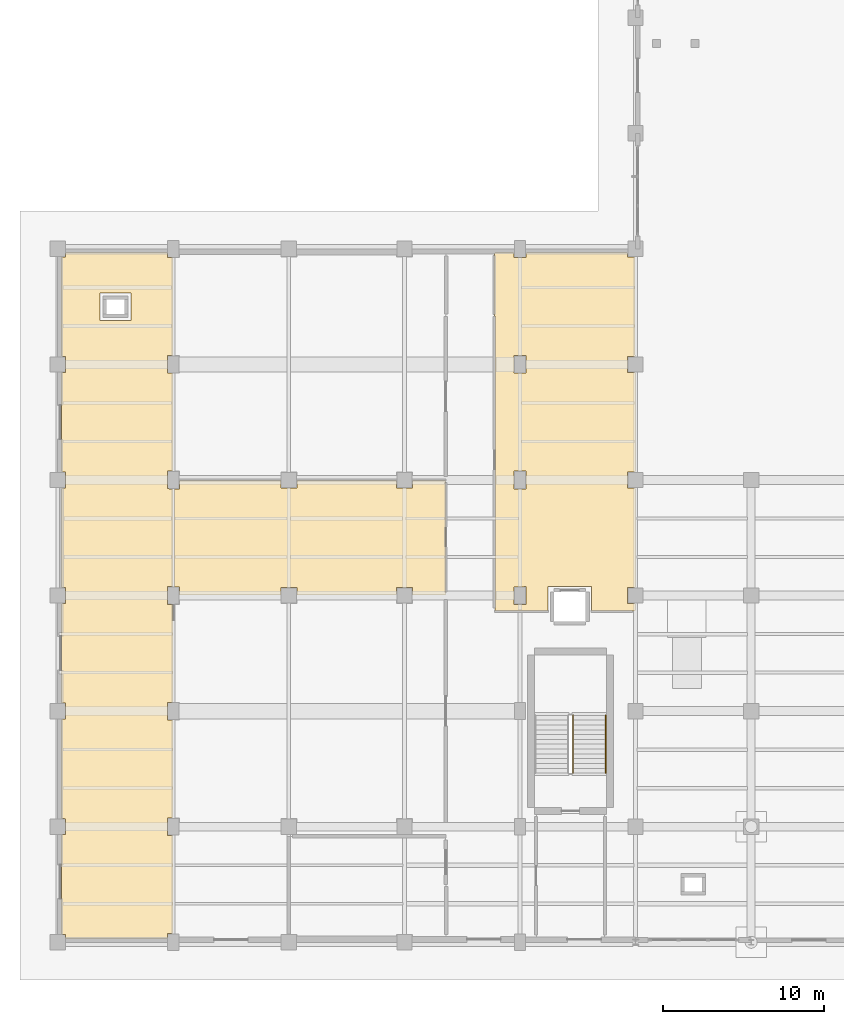
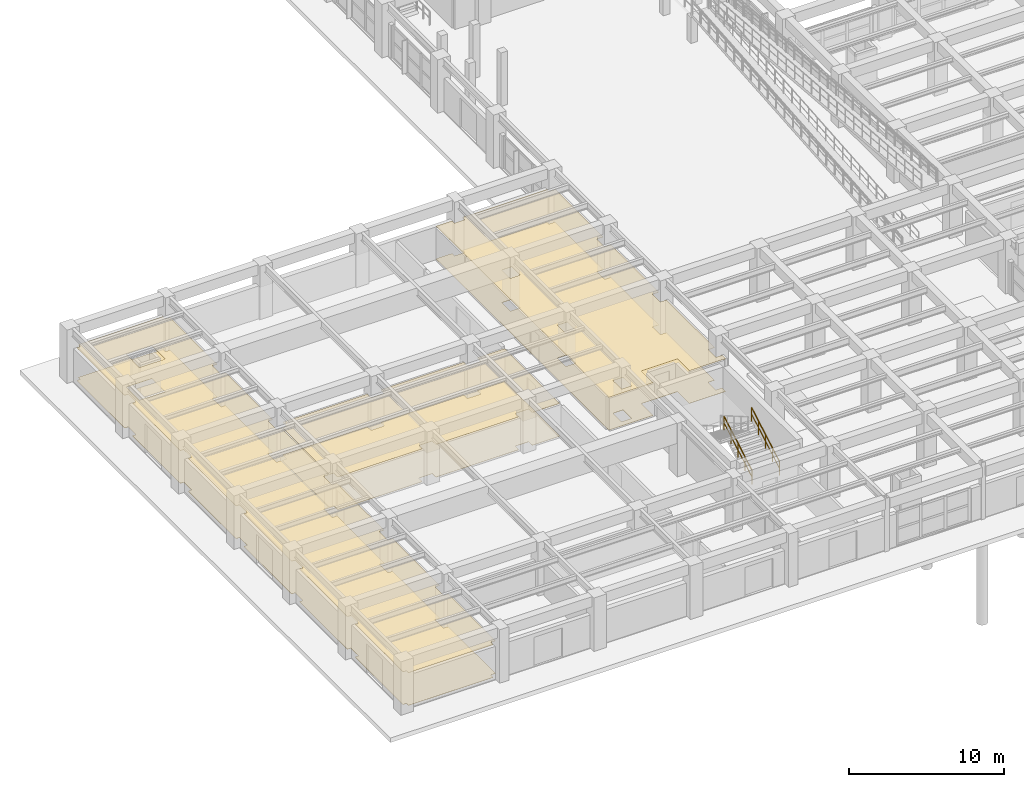
# One storey, part 51 of 64: 6 coverings, 2 railings.
"""IFC4 building model written with IfcOpenShell, lengths in metres."""

from ifc_helpers import new_model, si_unit, direction, frame, origin, origin_2d, place, context, subcontext, project, spatial, polyline, circle, outline, extrude, material, layer, layer_set, type_object, element, save


model = new_model("IFC4")

# Units and contexts
model_context = context("Model", 3, precision=1e-05, world=origin(), true_north=direction((0.0, 1.0)))
body_context = subcontext(model_context, "Body", "Model", "MODEL_VIEW")
ifc_project = project(units=[si_unit("LENGTHUNIT", "METRE"), si_unit("AREAUNIT", "SQUARE_METRE"), si_unit("VOLUMEUNIT", "CUBIC_METRE"), si_unit("PLANEANGLEUNIT", "RADIAN"), si_unit("MASSUNIT", "GRAM", prefix="KILO")], contexts=[model_context])

# Site, building, storey
site_placement = place(None, origin())
site = spatial("IfcSite", under=ifc_project, at=site_placement, CompositionType="ELEMENT")
building_placement = place(site_placement, origin())
building = spatial("IfcBuilding", under=site, at=building_placement, Name="Solenvale Faculty of Natural Sciences", CompositionType="ELEMENT")
storey_placement = place(building_placement, origin())
storey = spatial("IfcBuildingStorey", under=building, at=storey_placement, Name="L00", CompositionType="ELEMENT", Elevation=0.0)

# Coverings
ifc_material_1 = material(Name="Acoustic mineral-timber ceiling", Category="wood")
ifc_layer_1 = layer(ifc_material_1, 0.02490234375)
ifc_layer_set_1 = layer_set([ifc_layer_1], Name="Acoustic mineral-timber ceiling")
covering_type_1 = type_object("IfcCoveringType", Name="COV-CEIL-AC25", PredefinedType="CEILING", material=ifc_layer_set_1)
covering_1_placement = place(storey_placement, frame((0.0, 0.0, 2.574951171875)))
element("IfcCovering", 1, at=covering_1_placement, inside=storey, type_object=covering_type_1, Name="L00 Audiovisual Equipment Storage Room Acoustic Ceiling", PredefinedType="CEILING", context=body_context, shape_type="SweptSolid", body=[
    extrude(outline(polyline([(6.794921875, 42.9599609375), (6.824951171875, 42.93310546875), (6.8291015625, 42.652099609375), (7.153076171875, 42.64990234375), (7.179931640625, 42.6201171875), (7.179931640625, 36.576904296875), (7.153076171875, 36.550048828125), (6.8359375, 36.550048828125), (6.824951171875, 36.5390625), (6.824951171875, 35.45703125), (7.153076171875, 35.449951171875), (7.179931640625, 35.419921875), (7.179931640625, 29.376953125), (7.153076171875, 29.35009765625), (6.8359375, 29.35009765625), (6.824951171875, 29.339111328125), (6.824951171875, 28.257080078125), (7.153076171875, 28.25), (7.179931640625, 28.219970703125), (7.179931640625, 22.177001953125), (7.153076171875, 22.14990234375), (6.8359375, 22.14990234375), (6.824951171875, 22.138916015625), (6.824951171875, 21.056884765625), (7.153076171875, 21.050048828125), (7.179931640625, 21.02001953125), (7.179931640625, 14.97705078125), (7.153076171875, 14.949951171875), (6.8359375, 14.949951171875), (6.824951171875, 14.93896484375), (6.824951171875, 13.85693359375), (7.153076171875, 13.85009765625), (7.179931640625, 13.820068359375), (7.179931640625, 7.777099609375), (7.153076171875, 7.75), (6.8359375, 7.75), (6.824951171875, 7.739013671875), (6.824951171875, 6.656982421875), (7.153076171875, 6.64990234375), (7.179931640625, 6.623046875), (7.179931640625, 0.576904296875), (7.153076171875, 0.550048828125), (6.8291015625, 0.548095703125), (6.824951171875, 0.26708984375), (6.798095703125, 0.239990234375), (0.527099609375, 0.239990234375), (0.5, 0.26708984375), (0.4970703125, 0.4970703125), (0.26708984375, 0.5), (0.239990234375, 0.530029296875), (0.239990234375, 6.669921875), (0.263916015625, 6.698974609375), (0.489013671875, 6.699951171875), (0.5, 6.7109375), (0.5, 7.693115234375), (0.26708984375, 7.699951171875), (0.239990234375, 7.72998046875), (0.239990234375, 13.8701171875), (0.263916015625, 13.89892578125), (0.489013671875, 13.89990234375), (0.5, 13.910888671875), (0.5, 14.89306640625), (0.26708984375, 14.89990234375), (0.239990234375, 14.929931640625), (0.239990234375, 21.070068359375), (0.263916015625, 21.09912109375), (0.489013671875, 21.10009765625), (0.5, 21.111083984375), (0.5, 22.093017578125), (0.26708984375, 22.10009765625), (0.239990234375, 22.1298828125), (0.239990234375, 28.27001953125), (0.263916015625, 28.299072265625), (0.489013671875, 28.300048828125), (0.5, 28.31103515625), (0.5, 29.29296875), (0.26708984375, 29.300048828125), (0.239990234375, 29.330078125), (0.239990234375, 35.469970703125), (0.263916015625, 35.4990234375), (0.489013671875, 35.5), (0.5, 35.510986328125), (0.5, 36.492919921875), (0.26708984375, 36.5), (0.239990234375, 36.530029296875), (0.239990234375, 42.673095703125), (0.26708984375, 42.699951171875), (0.4970703125, 42.702880859375), (0.5, 42.93310546875), (0.530029296875, 42.9599609375), (6.794921875, 42.9599609375)]), holes=[polyline([(4.531982421875, 38.739990234375), (4.552001953125, 38.75), (4.56005859375, 38.77001953125), (4.56005859375, 40.429931640625), (4.550048828125, 40.451904296875), (2.669921875, 40.4599609375), (2.64794921875, 40.449951171875), (2.639892578125, 38.77001953125), (2.64990234375, 38.748046875), (4.531982421875, 38.739990234375)])]), origin(), (0.0, 0.0, 1.0), 0.025146484375),
])
covering_2_placement = place(storey_placement, frame((0.0, 0.0, 2.574951171875)))
element("IfcCovering", 2, at=covering_2_placement, inside=storey, type_object=covering_type_1, Name="L00 Academic Seminar Room Acoustic Ceiling", PredefinedType="CEILING", context=body_context, shape_type="SweptSolid", body=[
    extrude(outline(polyline([(7.239990234375, 28.219970703125), (7.26708984375, 28.25), (7.572998046875, 28.25390625), (7.574951171875, 28.7529296875), (7.60498046875, 28.780029296875), (13.873046875, 28.780029296875), (13.89990234375, 28.7529296875), (13.89990234375, 28.31103515625), (13.910888671875, 28.300048828125), (14.89404296875, 28.301025390625), (14.89990234375, 28.7529296875), (14.929931640625, 28.780029296875), (21.072998046875, 28.780029296875), (21.10009765625, 28.7529296875), (21.10009765625, 28.31103515625), (21.111083984375, 28.300048828125), (22.094970703125, 28.301025390625), (22.10009765625, 28.7529296875), (22.1240234375, 28.779052734375), (24.14111328125, 28.778076171875), (24.159912109375, 28.75), (24.157958984375, 21.658935546875), (24.1298828125, 21.639892578125), (22.126953125, 21.639892578125), (22.10009765625, 21.6669921875), (22.093994140625, 22.09912109375), (21.111083984375, 22.10009765625), (21.10009765625, 22.089111328125), (21.10009765625, 21.6669921875), (21.072998046875, 21.639892578125), (14.929931640625, 21.639892578125), (14.89990234375, 21.6669921875), (14.89404296875, 22.09912109375), (13.910888671875, 22.10009765625), (13.89990234375, 22.089111328125), (13.89990234375, 21.6669921875), (13.873046875, 21.639892578125), (7.593994140625, 21.64208984375), (7.574951171875, 21.669921875), (7.572998046875, 22.14599609375), (7.26708984375, 22.14990234375), (7.239990234375, 22.177001953125), (7.239990234375, 28.219970703125)])), origin(), (0.0, 0.0, 1.0), 0.025146484375),
])
covering_3_placement = place(storey_placement, frame((0.0, 0.0, 2.574951171875)))
element("IfcCovering", 3, at=covering_3_placement, inside=storey, type_object=covering_type_1, Name="L00 Academic Seminar Room Acoustic Ceiling", PredefinedType="CEILING", context=body_context, shape_type="SweptSolid", body=[
    extrude(outline(polyline([(27.239990234375, 39.0), (27.219970703125, 39.049072265625), (27.219970703125, 42.929931640625), (27.239013671875, 42.9580078125), (28.404052734375, 42.958984375), (28.425048828125, 42.93310546875), (28.425048828125, 42.660888671875), (28.43603515625, 42.64990234375), (29.1689453125, 42.65087890625), (29.175048828125, 42.93310546875), (29.205078125, 42.9599609375), (35.469970703125, 42.9599609375), (35.5, 42.93310546875), (35.5048828125, 42.700927734375), (35.949951171875, 42.699951171875), (35.97607421875, 42.68408203125), (35.97998046875, 36.527099609375), (35.952880859375, 36.5), (35.510986328125, 36.5), (35.5, 36.489013671875), (35.5009765625, 35.506103515625), (35.952880859375, 35.5), (35.97998046875, 35.469970703125), (35.97998046875, 29.326904296875), (35.952880859375, 29.300048828125), (35.510986328125, 29.300048828125), (35.5, 29.2890625), (35.5009765625, 28.305908203125), (35.952880859375, 28.300048828125), (35.97998046875, 28.27294921875), (35.97998046875, 22.1298828125), (35.952880859375, 22.10009765625), (35.5009765625, 22.093994140625), (35.5, 21.111083984375), (35.510986328125, 21.10009765625), (35.949951171875, 21.10009765625), (35.970947265625, 21.091064453125), (35.97998046875, 21.070068359375), (35.97998046875, 20.669921875), (35.964111328125, 20.64404296875), (33.27099609375, 20.64404296875), (33.2548828125, 20.669921875), (33.2548828125, 22.15087890625), (33.2451171875, 22.172119140625), (33.22509765625, 22.179931640625), (30.56005859375, 22.176025390625), (30.544921875, 22.14990234375), (30.544921875, 20.669921875), (30.52392578125, 20.64111328125), (27.27001953125, 20.639892578125), (27.243896484375, 20.656005859375), (27.239990234375, 39.0)]), holes=[polyline([(29.175048828125, 22.138916015625), (29.1640625, 22.14990234375), (28.427001953125, 22.14599609375), (28.428955078125, 21.052001953125), (29.173095703125, 21.053955078125), (29.175048828125, 22.138916015625)]), polyline([(29.175048828125, 29.339111328125), (29.1640625, 29.35009765625), (28.427001953125, 29.345947265625), (28.428955078125, 28.251953125), (29.173095703125, 28.25390625), (29.175048828125, 29.339111328125)]), polyline([(29.175048828125, 36.5390625), (29.1640625, 36.550048828125), (28.427001953125, 36.5458984375), (28.428955078125, 35.451904296875), (29.173095703125, 35.4541015625), (29.175048828125, 36.5390625)])]), origin(), (0.0, 0.0, 1.0), 0.025146484375),
])
ifc_material_2 = material(Name="Polished slate terrazzo flooring", Category="masonry")
ifc_layer_2 = layer(ifc_material_2, 0.01806640625)
ifc_layer_set_2 = layer_set([ifc_layer_2], Name="Polished slate terrazzo flooring")
covering_type_2 = type_object("IfcCoveringType", Name="COV-FLR-TRZ18", PredefinedType="FLOORING", material=ifc_layer_set_2)
covering_4_placement = place(storey_placement, origin())
element("IfcCovering", 4, at=covering_4_placement, inside=storey, type_object=covering_type_2, Name="L00 Audiovisual Equipment Storage Room Floor Finish", PredefinedType="FLOORING", context=body_context, shape_type="SweptSolid", body=[
    extrude(outline(polyline([(6.794921875, 42.9599609375), (6.824951171875, 42.93310546875), (6.8291015625, 42.652099609375), (7.153076171875, 42.64990234375), (7.179931640625, 42.6201171875), (7.179931640625, 36.576904296875), (7.153076171875, 36.550048828125), (6.8359375, 36.550048828125), (6.824951171875, 36.5390625), (6.824951171875, 35.45703125), (7.153076171875, 35.449951171875), (7.179931640625, 35.419921875), (7.179931640625, 29.376953125), (7.153076171875, 29.35009765625), (6.8359375, 29.35009765625), (6.824951171875, 29.339111328125), (6.824951171875, 28.257080078125), (7.153076171875, 28.25), (7.179931640625, 28.219970703125), (7.179931640625, 22.177001953125), (7.153076171875, 22.14990234375), (6.8359375, 22.14990234375), (6.824951171875, 22.138916015625), (6.824951171875, 21.056884765625), (7.153076171875, 21.050048828125), (7.179931640625, 21.02001953125), (7.179931640625, 14.97705078125), (7.153076171875, 14.949951171875), (6.8359375, 14.949951171875), (6.824951171875, 14.93896484375), (6.824951171875, 13.85693359375), (7.153076171875, 13.85009765625), (7.179931640625, 13.820068359375), (7.179931640625, 7.777099609375), (7.153076171875, 7.75), (6.8359375, 7.75), (6.824951171875, 7.739013671875), (6.824951171875, 6.656982421875), (7.153076171875, 6.64990234375), (7.179931640625, 6.623046875), (7.179931640625, 0.576904296875), (7.153076171875, 0.550048828125), (6.8291015625, 0.548095703125), (6.824951171875, 0.26708984375), (6.798095703125, 0.239990234375), (0.527099609375, 0.239990234375), (0.5, 0.26708984375), (0.4970703125, 0.4970703125), (0.26708984375, 0.5), (0.239990234375, 0.530029296875), (0.239990234375, 6.669921875), (0.263916015625, 6.698974609375), (0.489013671875, 6.699951171875), (0.5, 6.7109375), (0.5, 7.693115234375), (0.26708984375, 7.699951171875), (0.239990234375, 7.72998046875), (0.239990234375, 13.8701171875), (0.263916015625, 13.89892578125), (0.489013671875, 13.89990234375), (0.5, 13.910888671875), (0.5, 14.89306640625), (0.26708984375, 14.89990234375), (0.239990234375, 14.929931640625), (0.239990234375, 21.070068359375), (0.263916015625, 21.09912109375), (0.489013671875, 21.10009765625), (0.5, 21.111083984375), (0.5, 22.093017578125), (0.26708984375, 22.10009765625), (0.239990234375, 22.1298828125), (0.239990234375, 28.27001953125), (0.263916015625, 28.299072265625), (0.489013671875, 28.300048828125), (0.5, 28.31103515625), (0.5, 29.29296875), (0.26708984375, 29.300048828125), (0.239990234375, 29.330078125), (0.239990234375, 35.469970703125), (0.263916015625, 35.4990234375), (0.489013671875, 35.5), (0.5, 35.510986328125), (0.5, 36.492919921875), (0.26708984375, 36.5), (0.239990234375, 36.530029296875), (0.239990234375, 42.673095703125), (0.26708984375, 42.699951171875), (0.4970703125, 42.702880859375), (0.5, 42.93310546875), (0.530029296875, 42.9599609375), (6.794921875, 42.9599609375)]), holes=[polyline([(4.531982421875, 38.739990234375), (4.552001953125, 38.75), (4.56005859375, 38.77001953125), (4.56005859375, 40.429931640625), (4.550048828125, 40.451904296875), (2.669921875, 40.4599609375), (2.64794921875, 40.449951171875), (2.639892578125, 38.77001953125), (2.64990234375, 38.748046875), (4.531982421875, 38.739990234375)])]), origin(), (0.0, 0.0, 1.0), 0.01806640625),
])
covering_5_placement = place(storey_placement, origin())
element("IfcCovering", 5, at=covering_5_placement, inside=storey, type_object=covering_type_2, Name="L00 Academic Seminar Room Floor Finish", PredefinedType="FLOORING", context=body_context, shape_type="SweptSolid", body=[
    extrude(outline(polyline([(7.239990234375, 28.219970703125), (7.26708984375, 28.25), (7.572998046875, 28.25390625), (7.574951171875, 28.7529296875), (7.60498046875, 28.780029296875), (13.873046875, 28.780029296875), (13.89990234375, 28.7529296875), (13.89990234375, 28.31103515625), (13.910888671875, 28.300048828125), (14.89404296875, 28.301025390625), (14.89990234375, 28.7529296875), (14.929931640625, 28.780029296875), (21.072998046875, 28.780029296875), (21.10009765625, 28.7529296875), (21.10009765625, 28.31103515625), (21.111083984375, 28.300048828125), (22.094970703125, 28.301025390625), (22.10009765625, 28.7529296875), (22.1240234375, 28.779052734375), (24.14111328125, 28.778076171875), (24.159912109375, 28.75), (24.157958984375, 21.658935546875), (24.1298828125, 21.639892578125), (22.126953125, 21.639892578125), (22.10009765625, 21.6669921875), (22.093994140625, 22.09912109375), (21.111083984375, 22.10009765625), (21.10009765625, 22.089111328125), (21.10009765625, 21.6669921875), (21.072998046875, 21.639892578125), (14.929931640625, 21.639892578125), (14.89990234375, 21.6669921875), (14.89404296875, 22.09912109375), (13.910888671875, 22.10009765625), (13.89990234375, 22.089111328125), (13.89990234375, 21.6669921875), (13.873046875, 21.639892578125), (7.593994140625, 21.64208984375), (7.574951171875, 21.669921875), (7.572998046875, 22.14599609375), (7.26708984375, 22.14990234375), (7.239990234375, 22.177001953125), (7.239990234375, 28.219970703125)])), origin(), (0.0, 0.0, 1.0), 0.01806640625),
])
covering_6_placement = place(storey_placement, origin())
element("IfcCovering", 6, at=covering_6_placement, inside=storey, type_object=covering_type_2, Name="L00 Academic Seminar Room Floor Finish", PredefinedType="FLOORING", context=body_context, shape_type="SweptSolid", body=[
    extrude(outline(polyline([(27.239990234375, 39.0), (27.219970703125, 39.049072265625), (27.219970703125, 42.929931640625), (27.239013671875, 42.9580078125), (28.404052734375, 42.958984375), (28.425048828125, 42.93310546875), (28.425048828125, 42.660888671875), (28.43603515625, 42.64990234375), (29.1689453125, 42.65087890625), (29.175048828125, 42.93310546875), (29.205078125, 42.9599609375), (35.469970703125, 42.9599609375), (35.5, 42.93310546875), (35.5048828125, 42.700927734375), (35.949951171875, 42.699951171875), (35.97607421875, 42.68408203125), (35.97998046875, 36.527099609375), (35.952880859375, 36.5), (35.510986328125, 36.5), (35.5, 36.489013671875), (35.5009765625, 35.506103515625), (35.952880859375, 35.5), (35.97998046875, 35.469970703125), (35.97998046875, 29.326904296875), (35.952880859375, 29.300048828125), (35.510986328125, 29.300048828125), (35.5, 29.2890625), (35.5009765625, 28.305908203125), (35.952880859375, 28.300048828125), (35.97998046875, 28.27294921875), (35.97998046875, 22.1298828125), (35.952880859375, 22.10009765625), (35.5009765625, 22.093994140625), (35.5, 21.111083984375), (35.510986328125, 21.10009765625), (35.949951171875, 21.10009765625), (35.970947265625, 21.091064453125), (35.97998046875, 21.070068359375), (35.97998046875, 20.669921875), (35.964111328125, 20.64404296875), (33.27099609375, 20.64404296875), (33.2548828125, 20.669921875), (33.2548828125, 22.15087890625), (33.2451171875, 22.172119140625), (33.22509765625, 22.179931640625), (30.56005859375, 22.176025390625), (30.544921875, 22.14990234375), (30.544921875, 20.669921875), (30.52392578125, 20.64111328125), (27.27001953125, 20.639892578125), (27.243896484375, 20.656005859375), (27.239990234375, 39.0)]), holes=[polyline([(29.175048828125, 22.138916015625), (29.1640625, 22.14990234375), (28.427001953125, 22.14599609375), (28.428955078125, 21.052001953125), (29.173095703125, 21.053955078125), (29.175048828125, 22.138916015625)]), polyline([(29.175048828125, 29.339111328125), (29.1640625, 29.35009765625), (28.427001953125, 29.345947265625), (28.428955078125, 28.251953125), (29.173095703125, 28.25390625), (29.175048828125, 29.339111328125)]), polyline([(29.175048828125, 36.5390625), (29.1640625, 36.550048828125), (28.427001953125, 36.5458984375), (28.428955078125, 35.451904296875), (29.173095703125, 35.4541015625), (29.175048828125, 36.5390625)])]), origin(), (0.0, 0.0, 1.0), 0.01806640625),
])

# Railings
ifc_material_3 = material(Name="Stainless steel Grade 304", Category="steel")
railing_type_1 = type_object("IfcRailingType", Name="RL-GRD-1100", PredefinedType="GUARDRAIL", material=ifc_material_3)
railing_1_placement = place(storey_placement, frame((32.10009765625, 10.5400390625, 0.173095703125)))
element("IfcRailing", 7, at=railing_1_placement, inside=storey, type_object=railing_type_1, Name="L00 ST-01 stair guard 1", PredefinedType="GUARDRAIL", context=body_context, shape_type="SweptSolid", body=[
    extrude(circle(Radius=0.02392578125, at=origin_2d()), frame((0.0, 0.0, 1.09619140625), z_axis=(0.0, 0.866178740119, 0.499734319579), x_axis=(-1.0, 0.0, 0.0)), (0.0, 0.0, 1.0), 4.156005859375),
    extrude(circle(Radius=0.01611328125, at=origin_2d()), frame((0.0, 0.0, 0.56005859375), z_axis=(0.0, 0.866178740119, 0.499734319579), x_axis=(-1.0, 0.0, 0.0)), (0.0, 0.0, 1.0), 4.156005859375),
    extrude(circle(Radius=0.02099609375, at=origin_2d()), origin(), (0.0, 0.0, 1.0), 1.072021484375),
    extrude(circle(Radius=0.02099609375, at=origin_2d()), frame((0.0, 0.89990234375, 0.519287109375)), (0.0, 0.0, 1.0), 1.072021484375),
    extrude(circle(Radius=0.02099609375, at=origin_2d()), frame((0.0, 1.7998046875, 1.03857421875)), (0.0, 0.0, 1.0), 1.072021484375),
    extrude(circle(Radius=0.02099609375, at=origin_2d()), frame((0.0, 2.699951171875, 1.5576171875)), (0.0, 0.0, 1.0), 1.072021484375),
    extrude(circle(Radius=0.02099609375, at=origin_2d()), frame((0.0, 3.599853515625, 2.076904296875)), (0.0, 0.0, 1.0), 1.072021484375),
])
railing_type_2 = type_object("IfcRailingType", Name="RL-HND-900", PredefinedType="HANDRAIL", material=ifc_material_3)
railing_2_placement = place(storey_placement, frame((34.14990234375, 10.5400390625, 0.173095703125)))
element("IfcRailing", 8, at=railing_2_placement, inside=storey, type_object=railing_type_2, Name="L00 ST-01 stair handrail 1", PredefinedType="HANDRAIL", context=body_context, shape_type="SweptSolid", body=[
    extrude(circle(Radius=0.02392578125, at=origin_2d()), frame((0.0, 0.0, 1.0732421875), z_axis=(0.0, 0.866178740119, 0.499734319579), x_axis=(-1.0, 0.0, 0.0)), (0.0, 0.0, 1.0), 4.156005859375),
    extrude(circle(Radius=0.01611328125, at=origin_2d()), frame((0.0, 0.0, 0.548583984375), z_axis=(0.0, 0.866178740119, 0.499734319579), x_axis=(-1.0, 0.0, 0.0)), (0.0, 0.0, 1.0), 4.156005859375),
    extrude(circle(Radius=0.02099609375, at=origin_2d()), origin(), (0.0, 0.0, 1.0), 1.049072265625),
    extrude(circle(Radius=0.02099609375, at=origin_2d()), frame((0.0, 0.89990234375, 0.519287109375)), (0.0, 0.0, 1.0), 1.049072265625),
    extrude(circle(Radius=0.02099609375, at=origin_2d()), frame((0.0, 1.7998046875, 1.03857421875)), (0.0, 0.0, 1.0), 1.049072265625),
    extrude(circle(Radius=0.02099609375, at=origin_2d()), frame((0.0, 2.699951171875, 1.5576171875)), (0.0, 0.0, 1.0), 1.049072265625),
    extrude(circle(Radius=0.02099609375, at=origin_2d()), frame((0.0, 3.599853515625, 2.076904296875)), (0.0, 0.0, 1.0), 1.049072265625),
])

save(model, "model.ifc")
